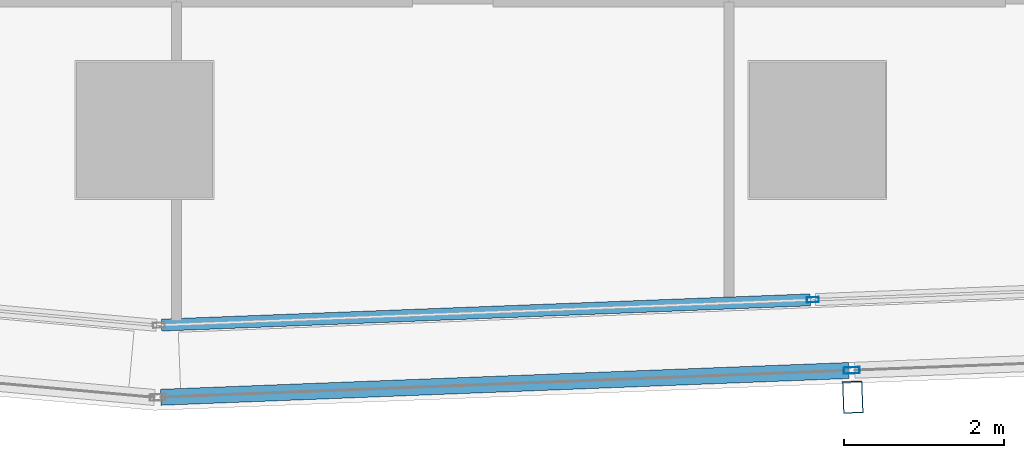
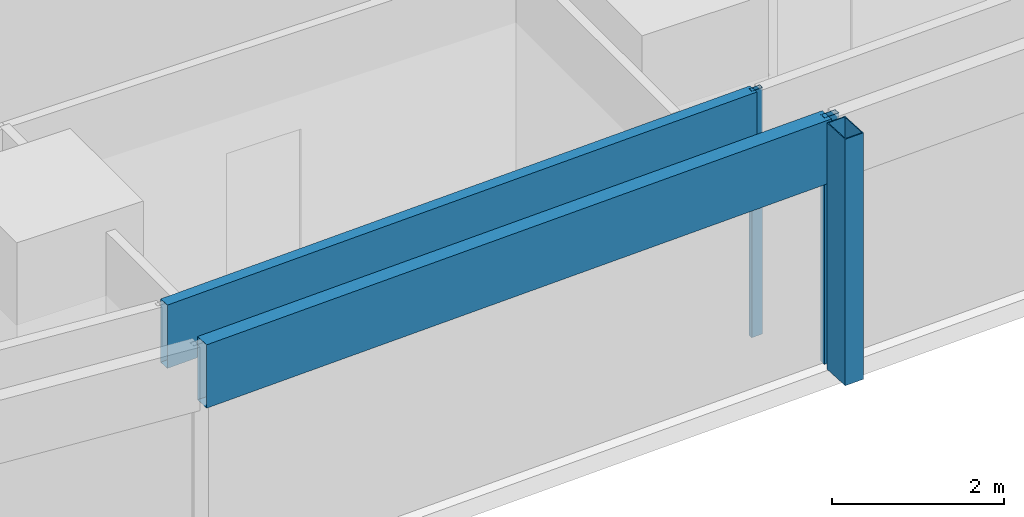
# One storey, part 6 of 40: 5 members, 2 elements without a shape of their own.
"""IFC4 building model written with IfcOpenShell, lengths in metres."""

from ifc_helpers import new_model, si_unit, direction, frame, origin, origin_2d, place, context, subcontext, project, spatial, hollow_rectangle, extrude, material, material_profile, profile_set, type_object, element, aggregate, save


model = new_model("IFC4")

# Units and contexts
model_context = context("Model", 3, precision=1e-05, world=origin(), true_north=direction((0.0, 1.0)))
body_context = subcontext(model_context, "Body", "Model", "MODEL_VIEW")
ifc_project = project(units=[si_unit("LENGTHUNIT", "METRE"), si_unit("AREAUNIT", "SQUARE_METRE"), si_unit("VOLUMEUNIT", "CUBIC_METRE"), si_unit("PLANEANGLEUNIT", "RADIAN"), si_unit("MASSUNIT", "GRAM", prefix="KILO")], contexts=[model_context])

# Site, building, storey
site_placement = place(None, origin())
site = spatial("IfcSite", under=ifc_project, at=site_placement, CompositionType="ELEMENT")
building_placement = place(site_placement, origin())
building = spatial("IfcBuilding", under=site, at=building_placement, Name="Rekha Terrace Tower", CompositionType="ELEMENT")
storey_placement = place(building_placement, frame((0.0, 0.0, 129.050048828125)))
storey = spatial("IfcBuildingStorey", under=building, at=storey_placement, Name="L32", CompositionType="ELEMENT", Elevation=129.050048828125)

# Curtain wall, member
ifc_material_1 = material(Name="Aluminium framing", Category="aluminium")
curtain_wall_type_1 = type_object("IfcCurtainWallType", Name="CW2 double skin outer glazing", PredefinedType="USERDEFINED", material=ifc_material_1)
curtain_wall_1_placement = place(storey_placement, origin())
curtain_wall_1 = element("IfcCurtainWall", 1, at=curtain_wall_1_placement, inside=storey, type_object=curtain_wall_type_1, Name="CW2 double skin outer glazing", ObjectType="DOUBLE SKIN OUTER GLAZING", PredefinedType="USERDEFINED")
ifc_material_2 = material(Name="Steel S355 with fluorocarbon finish", Category="steel")
ifc_material_profile_1 = material_profile(ifc_material_2, hollow_rectangle(XDim=0.25, YDim=0.39990234375, WallThickness=0.012451171875, at=origin_2d()), Name="RHS400x250x12.5")
ifc_profile_set_1 = profile_set([ifc_material_profile_1], Name="Steel S355 with fluorocarbon finish")
member_type_1 = type_object("IfcMemberType", Name="BL1 facade blade RHS 400 x 250", PredefinedType="USERDEFINED", material=ifc_profile_set_1)
member_1_placement = place(storey_placement, frame((34.042236328125, 13.46435546875, 0.0), z_axis=(0.0, 0.0, 1.0), x_axis=(0.999243494356, 0.038890088543, 0.0)))
member_1 = element("IfcMember", 2, at=member_1_placement, type_object=member_type_1, Name="Facade blade", ObjectType="FACADE BLADE", PredefinedType="USERDEFINED", context=body_context, shape_type="SweptSolid", body=[
    extrude(hollow_rectangle(XDim=0.25, YDim=0.39990234375, WallThickness=0.012451171875, at=origin_2d()), origin(), (0.0, 0.0, 1.0), 3.5),
])

# Curtain wall, members
curtain_wall_type_2 = type_object("IfcCurtainWallType", Name="CW1 double skin inner glazing", PredefinedType="USERDEFINED", material=ifc_material_1)
curtain_wall_2_placement = place(storey_placement, origin())
curtain_wall_2 = element("IfcCurtainWall", 3, at=curtain_wall_2_placement, inside=storey, type_object=curtain_wall_type_2, Name="CW1 double skin inner glazing", ObjectType="DOUBLE SKIN INNER GLAZING", PredefinedType="USERDEFINED")
ifc_material_3 = material(Name="Aluminium mullion section", Category="aluminium")
ifc_material_profile_2 = material_profile(ifc_material_3, hollow_rectangle(XDim=0.06494140625, YDim=0.14990234375, WallThickness=0.00390625, at=origin_2d()), Name="AL RHS 65x150")
ifc_profile_set_2 = profile_set([ifc_material_profile_2], Name="Aluminium mullion section")
member_type_2 = type_object("IfcMemberType", Name="CW1 mullion RHS 65 x 150", PredefinedType="MULLION", material=ifc_profile_set_2)
member_2_placement = place(storey_placement, frame((33.5439453125, 14.680908203125, 0.0), z_axis=(0.0, 0.0, 1.0), x_axis=(-0.038889971345, 0.999243498917, 0.0)))
member_2 = element("IfcMember", 4, at=member_2_placement, type_object=member_type_2, Name="CW1 mullion 2", PredefinedType="MULLION", context=body_context, shape_type="SweptSolid", body=[
    extrude(hollow_rectangle(XDim=0.06494140625, YDim=0.14990234375, WallThickness=0.00390625, at=origin_2d()), origin(), (0.0, 0.0, 1.0), 3.5),
])
ifc_material_4 = material(Name="Insulated aluminium spandrel box", Category="aluminium")
ifc_material_profile_3 = material_profile(ifc_material_4, hollow_rectangle(XDim=0.14990234375, YDim=0.89990234375, WallThickness=0.0029296875, at=origin_2d()), Name="AL SPANDREL BOX 150x900")
ifc_profile_set_3 = profile_set([ifc_material_profile_3], Name="Insulated aluminium spandrel box")
member_type_3 = type_object("IfcMemberType", Name="CW1 spandrel transom 150 x 900", PredefinedType="USERDEFINED", material=ifc_profile_set_3)
member_3_placement = place(storey_placement, frame((25.412353515625, 14.364501953125, 3.050048828125), z_axis=(0.999243630757, 0.038886583689, 0.0), x_axis=(-0.038886583689, 0.999243630757, 0.0)))
member_3 = element("IfcMember", 5, at=member_3_placement, type_object=member_type_3, Name="CW1 spandrel transom 1", ObjectType="TRANSOM", PredefinedType="USERDEFINED", context=body_context, shape_type="SweptSolid", body=[
    extrude(hollow_rectangle(XDim=0.14990234375, YDim=0.89990234375, WallThickness=0.0029296875, at=origin_2d()), origin(), (0.0, 0.0, 1.0), 8.105224609375),
])
aggregate(curtain_wall_2, [member_2, member_3])

# Member
ifc_material_profile_4 = material_profile(ifc_material_3, hollow_rectangle(XDim=0.080078125, YDim=0.199951171875, WallThickness=0.00390625, at=origin_2d()), Name="AL RHS 80x200")
ifc_profile_set_4 = profile_set([ifc_material_profile_4], Name="Aluminium mullion section")
member_type_4 = type_object("IfcMemberType", Name="CW2 mullion RHS 80 x 200", PredefinedType="MULLION", material=ifc_profile_set_4)
member_4_placement = place(storey_placement, frame((34.029052734375, 13.799072265625, 0.0), z_axis=(0.0, 0.0, 1.0), x_axis=(-0.038889971345, 0.999243498917, 0.0)))
member_4 = element("IfcMember", 6, at=member_4_placement, type_object=member_type_4, Name="CW2 mullion 2", PredefinedType="MULLION", context=body_context, shape_type="SweptSolid", body=[
    extrude(hollow_rectangle(XDim=0.080078125, YDim=0.199951171875, WallThickness=0.00390625, at=origin_2d()), origin(), (0.0, 0.0, 1.0), 3.5),
])

ifc_material_profile_5 = material_profile(ifc_material_4, hollow_rectangle(XDim=0.199951171875, YDim=0.89990234375, WallThickness=0.0029296875, at=origin_2d()), Name="AL SPANDREL BOX 200x900")
ifc_profile_set_5 = profile_set([ifc_material_profile_5], Name="Insulated aluminium spandrel box")
member_type_5 = type_object("IfcMemberType", Name="CW2 spandrel transom 200 x 900", PredefinedType="USERDEFINED", material=ifc_profile_set_5)
member_5_placement = place(storey_placement, frame((25.404052734375, 13.46337890625, 3.050048828125), z_axis=(0.999243058466, 0.038901286707, 0.0), x_axis=(-0.038901286707, 0.999243058466, 0.0)))
member_5 = element("IfcMember", 7, at=member_5_placement, type_object=member_type_5, Name="CW2 spandrel transom 1", ObjectType="TRANSOM", PredefinedType="USERDEFINED", context=body_context, shape_type="SweptSolid", body=[
    extrude(hollow_rectangle(XDim=0.199951171875, YDim=0.89990234375, WallThickness=0.0029296875, at=origin_2d()), origin(), (0.0, 0.0, 1.0), 8.591796875),
])

aggregate(curtain_wall_1, [member_4, member_5, member_1])

save(model, "model.ifc")
